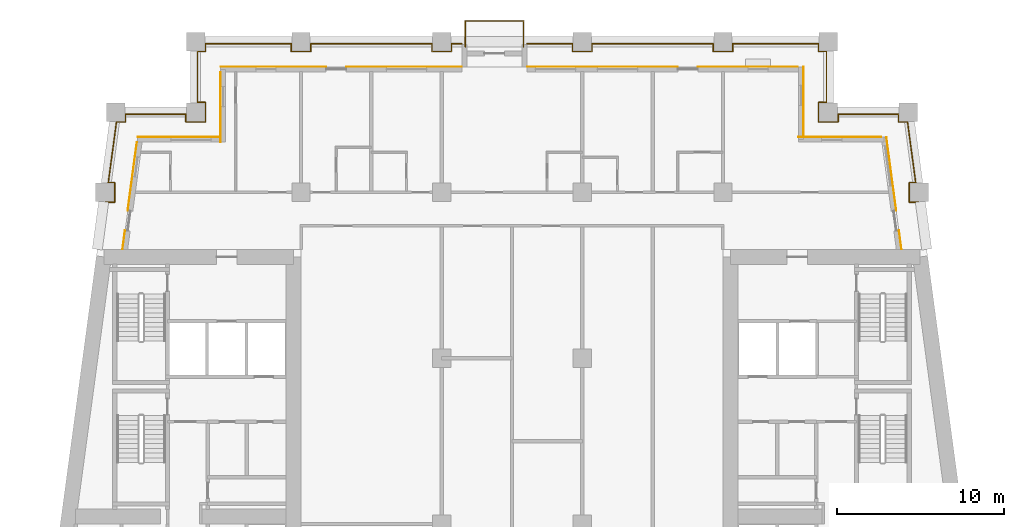
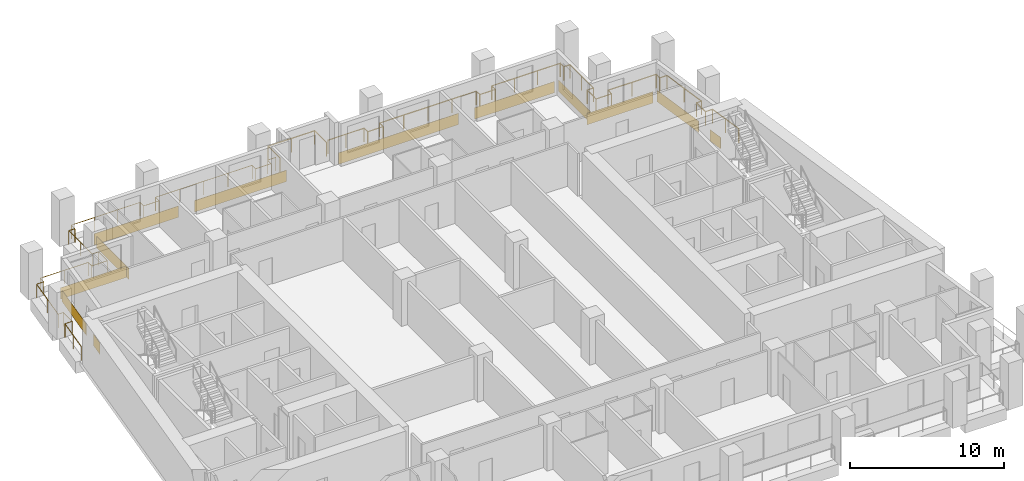
# One storey, part 11 of 12: 12 coverings, 3 railings.
"""IFC4 building model written with IfcOpenShell, lengths in metres."""

from ifc_helpers import new_model, si_unit, direction, frame, origin, origin_2d, place, context, subcontext, project, spatial, rectangle, circle, extrude, material, layer, layer_set, type_object, element, save


model = new_model("IFC4")

# Units and contexts
model_context = context("Model", 3, precision=1e-05, world=origin(), true_north=direction((0.0, 1.0)))
body_context = subcontext(model_context, "Body", "Model", "MODEL_VIEW")
ifc_project = project(units=[si_unit("LENGTHUNIT", "METRE"), si_unit("AREAUNIT", "SQUARE_METRE"), si_unit("VOLUMEUNIT", "CUBIC_METRE"), si_unit("PLANEANGLEUNIT", "RADIAN"), si_unit("MASSUNIT", "GRAM", prefix="KILO")], contexts=[model_context])

# Site, building, storey
site_placement = place(None, origin())
site = spatial("IfcSite", under=ifc_project, at=site_placement, CompositionType="ELEMENT")
building_placement = place(site_placement, origin())
building = spatial("IfcBuilding", under=site, at=building_placement, Name="Candeia Pilgrim Tower and Theatre", CompositionType="ELEMENT")
storey_placement = place(building_placement, frame((0.0, 0.0, 162.60009765625)))
storey = spatial("IfcBuildingStorey", under=building, at=storey_placement, Name="L38", CompositionType="ELEMENT", Elevation=162.60009765625)

# Railings
ifc_material_1 = material(Name="Stainless steel balustrade", Category="steel")
railing_type = type_object("IfcRailingType", Name="G1 loggia guard 1100", PredefinedType="GUARDRAIL", material=ifc_material_1)
railing_1_placement = place(storey_placement, frame((88.758544921875, 132.449951171875, 0.0)))
element("IfcRailing", 1, at=railing_1_placement, inside=storey, type_object=railing_type, Name="Guard L38.2", PredefinedType="GUARDRAIL", context=body_context, shape_type="SweptSolid", body=[
    extrude(circle(Radius=0.02392578125, at=origin_2d()), frame((0.0, 0.0, 1.076171875), z_axis=(0.133382313969, 0.991064659001, 0.0), x_axis=(-0.991064659001, 0.133382313969, 0.0)), (0.0, 0.0, 1.0), 2.794921875),
    extrude(circle(Radius=0.02392578125, at=origin_2d()), frame((0.372802734375, 2.77001953125, 1.076171875), z_axis=(1.0, 0.0, 0.0), x_axis=(0.0, 1.0, 0.0)), (0.0, 0.0, 1.0), 0.537109375),
    extrude(circle(Radius=0.02392578125, at=origin_2d()), frame((0.909912109375, 2.77001953125, 1.076171875), z_axis=(0.0, 1.0, 0.0), x_axis=(-1.0, 0.0, 0.0)), (0.0, 0.0, 1.0), 1.159912109375),
    extrude(circle(Radius=0.02392578125, at=origin_2d()), frame((0.909912109375, 3.929931640625, 1.076171875), z_axis=(-1.0, 0.0, 0.0), x_axis=(0.0, -1.0, 0.0)), (0.0, 0.0, 1.0), 0.380859375),
    extrude(circle(Radius=0.02392578125, at=origin_2d()), frame((0.529052734375, 3.929931640625, 1.076171875), z_axis=(0.133404479078, 0.99106167566, 0.0), x_axis=(-0.99106167566, 0.133404479078, 0.0)), (0.0, 0.0, 1.0), 3.6728515625),
    extrude(circle(Radius=0.02392578125, at=origin_2d()), frame((1.01904296875, 7.570068359375, 1.076171875), z_axis=(1.0, 0.0, 0.0), x_axis=(0.0, 1.0, 0.0)), (0.0, 0.0, 1.0), 0.537109375),
    extrude(circle(Radius=0.02392578125, at=origin_2d()), frame((1.55615234375, 7.570068359375, 1.076171875), z_axis=(0.0, 1.0, 0.0), x_axis=(-1.0, 0.0, 0.0)), (0.0, 0.0, 1.0), 0.4599609375),
    extrude(circle(Radius=0.02392578125, at=origin_2d()), frame((1.55615234375, 8.030029296875, 1.076171875), z_axis=(1.0, 0.0, 0.0), x_axis=(0.0, 1.0, 0.0)), (0.0, 0.0, 1.0), 3.605224609375),
    extrude(circle(Radius=0.02392578125, at=origin_2d()), frame((5.161376953125, 8.030029296875, 1.076171875), z_axis=(0.0, -1.0, 0.0), x_axis=(1.0, 0.0, 0.0)), (0.0, 0.0, 1.0), 0.4599609375),
    extrude(circle(Radius=0.02392578125, at=origin_2d()), frame((5.161376953125, 7.570068359375, 1.076171875), z_axis=(1.0, 0.0, 0.0), x_axis=(0.0, 1.0, 0.0)), (0.0, 0.0, 1.0), 1.16015625),
    extrude(circle(Radius=0.02392578125, at=origin_2d()), frame((6.321533203125, 7.570068359375, 1.076171875), z_axis=(0.0, 1.0, 0.0), x_axis=(-1.0, 0.0, 0.0)), (0.0, 0.0, 1.0), 1.159912109375),
    extrude(circle(Radius=0.02392578125, at=origin_2d()), frame((6.321533203125, 8.72998046875, 1.076171875), z_axis=(-1.0, 0.0, 0.0), x_axis=(0.0, -1.0, 0.0)), (0.0, 0.0, 1.0), 0.4599609375),
    extrude(circle(Radius=0.02392578125, at=origin_2d()), frame((5.861572265625, 8.72998046875, 1.076171875), z_axis=(0.0, 1.0, 0.0), x_axis=(-1.0, 0.0, 0.0)), (0.0, 0.0, 1.0), 3.0400390625),
    extrude(circle(Radius=0.02392578125, at=origin_2d()), frame((5.861572265625, 11.77001953125, 1.076171875), z_axis=(1.0, 0.0, 0.0), x_axis=(0.0, 1.0, 0.0)), (0.0, 0.0, 1.0), 0.4599609375),
    extrude(circle(Radius=0.02392578125, at=origin_2d()), frame((6.321533203125, 11.77001953125, 1.076171875), z_axis=(0.0, 1.0, 0.0), x_axis=(-1.0, 0.0, 0.0)), (0.0, 0.0, 1.0), 0.4599609375),
    extrude(circle(Radius=0.02392578125, at=origin_2d()), frame((6.321533203125, 12.22998046875, 1.076171875), z_axis=(1.0, 0.0, 0.0), x_axis=(0.0, 1.0, 0.0)), (0.0, 0.0, 1.0), 5.139892578125),
    extrude(circle(Radius=0.02392578125, at=origin_2d()), frame((11.46142578125, 12.22998046875, 1.076171875), z_axis=(0.0, -1.0, 0.0), x_axis=(1.0, 0.0, 0.0)), (0.0, 0.0, 1.0), 0.4599609375),
    extrude(circle(Radius=0.02392578125, at=origin_2d()), frame((11.46142578125, 11.77001953125, 1.076171875), z_axis=(1.0, 0.0, 0.0), x_axis=(0.0, 1.0, 0.0)), (0.0, 0.0, 1.0), 1.159912109375),
    extrude(circle(Radius=0.02392578125, at=origin_2d()), frame((12.621337890625, 11.77001953125, 1.076171875), z_axis=(0.0, 1.0, 0.0), x_axis=(-1.0, 0.0, 0.0)), (0.0, 0.0, 1.0), 0.4599609375),
    extrude(circle(Radius=0.02392578125, at=origin_2d()), frame((12.621337890625, 12.22998046875, 1.076171875), z_axis=(1.0, 0.0, 0.0), x_axis=(0.0, 1.0, 0.0)), (0.0, 0.0, 1.0), 7.240234375),
    extrude(circle(Radius=0.02392578125, at=origin_2d()), frame((19.861572265625, 12.22998046875, 1.076171875), z_axis=(0.0, -1.0, 0.0), x_axis=(1.0, 0.0, 0.0)), (0.0, 0.0, 1.0), 0.4599609375),
    extrude(circle(Radius=0.02392578125, at=origin_2d()), frame((19.861572265625, 11.77001953125, 1.076171875), z_axis=(1.0, 0.0, 0.0), x_axis=(0.0, 1.0, 0.0)), (0.0, 0.0, 1.0), 1.159912109375),
    extrude(circle(Radius=0.02392578125, at=origin_2d()), frame((21.021484375, 11.77001953125, 1.076171875), z_axis=(0.0, 1.0, 0.0), x_axis=(-1.0, 0.0, 0.0)), (0.0, 0.0, 1.0), 0.4599609375),
    extrude(circle(Radius=0.02392578125, at=origin_2d()), frame((21.021484375, 12.22998046875, 1.076171875), z_axis=(1.0, 0.0, 0.0), x_axis=(0.0, 1.0, 0.0)), (0.0, 0.0, 1.0), 0.619873046875),
    extrude(circle(Radius=0.02099609375, at=origin_2d()), origin(), (0.0, 0.0, 1.0), 1.052001953125),
    extrude(circle(Radius=0.02099609375, at=origin_2d()), frame((0.1865234375, 1.385009765625, 0.0)), (0.0, 0.0, 1.0), 1.052001953125),
    extrude(circle(Radius=0.02099609375, at=origin_2d()), frame((0.372802734375, 2.77001953125, 0.0)), (0.0, 0.0, 1.0), 1.052001953125),
    extrude(circle(Radius=0.02099609375, at=origin_2d()), frame((0.909912109375, 2.77001953125, 0.0)), (0.0, 0.0, 1.0), 1.052001953125),
    extrude(circle(Radius=0.02099609375, at=origin_2d()), frame((0.909912109375, 3.929931640625, 0.0)), (0.0, 0.0, 1.0), 1.052001953125),
    extrude(circle(Radius=0.02099609375, at=origin_2d()), frame((0.529052734375, 3.929931640625, 0.0)), (0.0, 0.0, 1.0), 1.052001953125),
    extrude(circle(Radius=0.02099609375, at=origin_2d()), frame((0.77392578125, 5.75, 0.0)), (0.0, 0.0, 1.0), 1.052001953125),
    extrude(circle(Radius=0.02099609375, at=origin_2d()), frame((1.01904296875, 7.570068359375, 0.0)), (0.0, 0.0, 1.0), 1.052001953125),
    extrude(circle(Radius=0.02099609375, at=origin_2d()), frame((1.55615234375, 7.570068359375, 0.0)), (0.0, 0.0, 1.0), 1.052001953125),
    extrude(circle(Radius=0.02099609375, at=origin_2d()), frame((1.55615234375, 8.030029296875, 0.0)), (0.0, 0.0, 1.0), 1.052001953125),
    extrude(circle(Radius=0.02099609375, at=origin_2d()), frame((3.35888671875, 8.030029296875, 0.0)), (0.0, 0.0, 1.0), 1.052001953125),
    extrude(circle(Radius=0.02099609375, at=origin_2d()), frame((5.161376953125, 8.030029296875, 0.0)), (0.0, 0.0, 1.0), 1.052001953125),
    extrude(circle(Radius=0.02099609375, at=origin_2d()), frame((5.161376953125, 7.570068359375, 0.0)), (0.0, 0.0, 1.0), 1.052001953125),
    extrude(circle(Radius=0.02099609375, at=origin_2d()), frame((6.321533203125, 7.570068359375, 0.0)), (0.0, 0.0, 1.0), 1.052001953125),
    extrude(circle(Radius=0.02099609375, at=origin_2d()), frame((6.321533203125, 8.72998046875, 0.0)), (0.0, 0.0, 1.0), 1.052001953125),
    extrude(circle(Radius=0.02099609375, at=origin_2d()), frame((5.861572265625, 8.72998046875, 0.0)), (0.0, 0.0, 1.0), 1.052001953125),
    extrude(circle(Radius=0.02099609375, at=origin_2d()), frame((5.861572265625, 10.25, 0.0)), (0.0, 0.0, 1.0), 1.052001953125),
    extrude(circle(Radius=0.02099609375, at=origin_2d()), frame((5.861572265625, 11.77001953125, 0.0)), (0.0, 0.0, 1.0), 1.052001953125),
    extrude(circle(Radius=0.02099609375, at=origin_2d()), frame((6.321533203125, 11.77001953125, 0.0)), (0.0, 0.0, 1.0), 1.052001953125),
    extrude(circle(Radius=0.02099609375, at=origin_2d()), frame((6.321533203125, 12.22998046875, 0.0)), (0.0, 0.0, 1.0), 1.052001953125),
    extrude(circle(Radius=0.02099609375, at=origin_2d()), frame((8.034912109375, 12.22998046875, 0.0)), (0.0, 0.0, 1.0), 1.052001953125),
    extrude(circle(Radius=0.02099609375, at=origin_2d()), frame((9.748046875, 12.22998046875, 0.0)), (0.0, 0.0, 1.0), 1.052001953125),
    extrude(circle(Radius=0.02099609375, at=origin_2d()), frame((11.46142578125, 12.22998046875, 0.0)), (0.0, 0.0, 1.0), 1.052001953125),
    extrude(circle(Radius=0.02099609375, at=origin_2d()), frame((11.46142578125, 11.77001953125, 0.0)), (0.0, 0.0, 1.0), 1.052001953125),
    extrude(circle(Radius=0.02099609375, at=origin_2d()), frame((12.621337890625, 11.77001953125, 0.0)), (0.0, 0.0, 1.0), 1.052001953125),
    extrude(circle(Radius=0.02099609375, at=origin_2d()), frame((12.621337890625, 12.22998046875, 0.0)), (0.0, 0.0, 1.0), 1.052001953125),
    extrude(circle(Radius=0.02099609375, at=origin_2d()), frame((14.431396484375, 12.22998046875, 0.0)), (0.0, 0.0, 1.0), 1.052001953125),
    extrude(circle(Radius=0.02099609375, at=origin_2d()), frame((16.241455078125, 12.22998046875, 0.0)), (0.0, 0.0, 1.0), 1.052001953125),
    extrude(circle(Radius=0.02099609375, at=origin_2d()), frame((18.051513671875, 12.22998046875, 0.0)), (0.0, 0.0, 1.0), 1.052001953125),
    extrude(circle(Radius=0.02099609375, at=origin_2d()), frame((19.861572265625, 12.22998046875, 0.0)), (0.0, 0.0, 1.0), 1.052001953125),
    extrude(circle(Radius=0.02099609375, at=origin_2d()), frame((19.861572265625, 11.77001953125, 0.0)), (0.0, 0.0, 1.0), 1.052001953125),
    extrude(circle(Radius=0.02099609375, at=origin_2d()), frame((21.021484375, 11.77001953125, 0.0)), (0.0, 0.0, 1.0), 1.052001953125),
    extrude(circle(Radius=0.02099609375, at=origin_2d()), frame((21.021484375, 12.22998046875, 0.0)), (0.0, 0.0, 1.0), 1.052001953125),
    extrude(circle(Radius=0.02099609375, at=origin_2d()), frame((21.641357421875, 12.22998046875, 0.0)), (0.0, 0.0, 1.0), 1.052001953125),
])
railing_2_placement = place(storey_placement, frame((114.300048828125, 144.679931640625, 0.0)))
element("IfcRailing", 2, at=railing_2_placement, inside=storey, type_object=railing_type, Name="Guard L38.3", PredefinedType="GUARDRAIL", context=body_context, shape_type="SweptSolid", body=[
    extrude(circle(Radius=0.02392578125, at=origin_2d()), frame((0.0, 0.0, 1.076171875), z_axis=(1.0, 0.0, 0.0), x_axis=(0.0, 1.0, 0.0)), (0.0, 0.0, 1.0), 2.719970703125),
    extrude(circle(Radius=0.02392578125, at=origin_2d()), frame((2.719970703125, 0.0, 1.076171875), z_axis=(0.0, -1.0, 0.0), x_axis=(1.0, 0.0, 0.0)), (0.0, 0.0, 1.0), 0.4599609375),
    extrude(circle(Radius=0.02392578125, at=origin_2d()), frame((2.719970703125, -0.4599609375, 1.076171875), z_axis=(1.0, 0.0, 0.0), x_axis=(0.0, 1.0, 0.0)), (0.0, 0.0, 1.0), 1.159912109375),
    extrude(circle(Radius=0.02392578125, at=origin_2d()), frame((3.8798828125, -0.4599609375, 1.076171875), z_axis=(0.0, 1.0, 0.0), x_axis=(-1.0, 0.0, 0.0)), (0.0, 0.0, 1.0), 0.4599609375),
    extrude(circle(Radius=0.02392578125, at=origin_2d()), frame((3.8798828125, 0.0, 1.076171875), z_axis=(1.0, 0.0, 0.0), x_axis=(0.0, 1.0, 0.0)), (0.0, 0.0, 1.0), 7.239990234375),
    extrude(circle(Radius=0.02392578125, at=origin_2d()), frame((11.119873046875, 0.0, 1.076171875), z_axis=(0.0, -1.0, 0.0), x_axis=(1.0, 0.0, 0.0)), (0.0, 0.0, 1.0), 0.4599609375),
    extrude(circle(Radius=0.02392578125, at=origin_2d()), frame((11.119873046875, -0.4599609375, 1.076171875), z_axis=(1.0, 0.0, 0.0), x_axis=(0.0, 1.0, 0.0)), (0.0, 0.0, 1.0), 1.16015625),
    extrude(circle(Radius=0.02392578125, at=origin_2d()), frame((12.280029296875, -0.4599609375, 1.076171875), z_axis=(0.0, 1.0, 0.0), x_axis=(-1.0, 0.0, 0.0)), (0.0, 0.0, 1.0), 0.4599609375),
    extrude(circle(Radius=0.02392578125, at=origin_2d()), frame((12.280029296875, 0.0, 1.076171875), z_axis=(1.0, 0.0, 0.0), x_axis=(0.0, 1.0, 0.0)), (0.0, 0.0, 1.0), 5.139892578125),
    extrude(circle(Radius=0.02392578125, at=origin_2d()), frame((17.419921875, 0.0, 1.076171875), z_axis=(0.0, -1.0, 0.0), x_axis=(1.0, 0.0, 0.0)), (0.0, 0.0, 1.0), 0.4599609375),
    extrude(circle(Radius=0.02392578125, at=origin_2d()), frame((17.419921875, -0.4599609375, 1.076171875), z_axis=(1.0, 0.0, 0.0), x_axis=(0.0, 1.0, 0.0)), (0.0, 0.0, 1.0), 0.4599609375),
    extrude(circle(Radius=0.02392578125, at=origin_2d()), frame((17.8798828125, -0.4599609375, 1.076171875), z_axis=(0.0, -1.0, 0.0), x_axis=(1.0, 0.0, 0.0)), (0.0, 0.0, 1.0), 3.0400390625),
    extrude(circle(Radius=0.02392578125, at=origin_2d()), frame((17.8798828125, -3.5, 1.076171875), z_axis=(-1.0, 0.0, 0.0), x_axis=(0.0, -1.0, 0.0)), (0.0, 0.0, 1.0), 0.4599609375),
    extrude(circle(Radius=0.02392578125, at=origin_2d()), frame((17.419921875, -3.5, 1.076171875), z_axis=(0.0, -1.0, 0.0), x_axis=(1.0, 0.0, 0.0)), (0.0, 0.0, 1.0), 1.159912109375),
    extrude(circle(Radius=0.02392578125, at=origin_2d()), frame((17.419921875, -4.659912109375, 1.076171875), z_axis=(1.0, 0.0, 0.0), x_axis=(0.0, 1.0, 0.0)), (0.0, 0.0, 1.0), 1.159912109375),
    extrude(circle(Radius=0.02392578125, at=origin_2d()), frame((18.579833984375, -4.659912109375, 1.076171875), z_axis=(0.0, 1.0, 0.0), x_axis=(-1.0, 0.0, 0.0)), (0.0, 0.0, 1.0), 0.4599609375),
    extrude(circle(Radius=0.02392578125, at=origin_2d()), frame((18.579833984375, -4.199951171875, 1.076171875), z_axis=(1.0, 0.0, 0.0), x_axis=(0.0, 1.0, 0.0)), (0.0, 0.0, 1.0), 3.60546875),
    extrude(circle(Radius=0.02392578125, at=origin_2d()), frame((22.185302734375, -4.199951171875, 1.076171875), z_axis=(0.0, -1.0, 0.0), x_axis=(1.0, 0.0, 0.0)), (0.0, 0.0, 1.0), 0.4599609375),
    extrude(circle(Radius=0.02392578125, at=origin_2d()), frame((22.185302734375, -4.659912109375, 1.076171875), z_axis=(1.0, 0.0, 0.0), x_axis=(0.0, 1.0, 0.0)), (0.0, 0.0, 1.0), 0.537109375),
    extrude(circle(Radius=0.02392578125, at=origin_2d()), frame((22.722412109375, -4.659912109375, 1.076171875), z_axis=(0.133404479078, -0.99106167566, 0.0), x_axis=(0.99106167566, 0.133404479078, 0.0)), (0.0, 0.0, 1.0), 3.6728515625),
    extrude(circle(Radius=0.02392578125, at=origin_2d()), frame((23.21240234375, -8.300048828125, 1.076171875), z_axis=(-1.0, 0.0, 0.0), x_axis=(0.0, -1.0, 0.0)), (0.0, 0.0, 1.0), 0.380859375),
    extrude(circle(Radius=0.02392578125, at=origin_2d()), frame((22.83154296875, -8.300048828125, 1.076171875), z_axis=(0.0, -1.0, 0.0), x_axis=(1.0, 0.0, 0.0)), (0.0, 0.0, 1.0), 1.159912109375),
    extrude(circle(Radius=0.02392578125, at=origin_2d()), frame((22.83154296875, -9.4599609375, 1.076171875), z_axis=(1.0, 0.0, 0.0), x_axis=(0.0, 1.0, 0.0)), (0.0, 0.0, 1.0), 0.536865234375),
    extrude(circle(Radius=0.02392578125, at=origin_2d()), frame((23.368408203125, -9.4599609375, 1.076171875), z_axis=(0.133468107709, -0.99105310868, 0.0), x_axis=(0.99105310868, 0.133468107709, 0.0)), (0.0, 0.0, 1.0), 2.794921875),
    extrude(circle(Radius=0.02099609375, at=origin_2d()), origin(), (0.0, 0.0, 1.0), 1.052001953125),
    extrude(circle(Radius=0.02099609375, at=origin_2d()), frame((1.35986328125, 0.0, 0.0)), (0.0, 0.0, 1.0), 1.052001953125),
    extrude(circle(Radius=0.02099609375, at=origin_2d()), frame((2.719970703125, 0.0, 0.0)), (0.0, 0.0, 1.0), 1.052001953125),
    extrude(circle(Radius=0.02099609375, at=origin_2d()), frame((2.719970703125, -0.4599609375, 0.0)), (0.0, 0.0, 1.0), 1.052001953125),
    extrude(circle(Radius=0.02099609375, at=origin_2d()), frame((3.8798828125, -0.4599609375, 0.0)), (0.0, 0.0, 1.0), 1.052001953125),
    extrude(circle(Radius=0.02099609375, at=origin_2d()), frame((3.8798828125, 0.0, 0.0)), (0.0, 0.0, 1.0), 1.052001953125),
    extrude(circle(Radius=0.02099609375, at=origin_2d()), frame((5.68994140625, 0.0, 0.0)), (0.0, 0.0, 1.0), 1.052001953125),
    extrude(circle(Radius=0.02099609375, at=origin_2d()), frame((7.5, 0.0, 0.0)), (0.0, 0.0, 1.0), 1.052001953125),
    extrude(circle(Radius=0.02099609375, at=origin_2d()), frame((9.309814453125, 0.0, 0.0)), (0.0, 0.0, 1.0), 1.052001953125),
    extrude(circle(Radius=0.02099609375, at=origin_2d()), frame((11.119873046875, 0.0, 0.0)), (0.0, 0.0, 1.0), 1.052001953125),
    extrude(circle(Radius=0.02099609375, at=origin_2d()), frame((11.119873046875, -0.4599609375, 0.0)), (0.0, 0.0, 1.0), 1.052001953125),
    extrude(circle(Radius=0.02099609375, at=origin_2d()), frame((12.280029296875, -0.4599609375, 0.0)), (0.0, 0.0, 1.0), 1.052001953125),
    extrude(circle(Radius=0.02099609375, at=origin_2d()), frame((12.280029296875, 0.0, 0.0)), (0.0, 0.0, 1.0), 1.052001953125),
    extrude(circle(Radius=0.02099609375, at=origin_2d()), frame((13.993408203125, 0.0, 0.0)), (0.0, 0.0, 1.0), 1.052001953125),
    extrude(circle(Radius=0.02099609375, at=origin_2d()), frame((15.70654296875, 0.0, 0.0)), (0.0, 0.0, 1.0), 1.052001953125),
    extrude(circle(Radius=0.02099609375, at=origin_2d()), frame((17.419921875, 0.0, 0.0)), (0.0, 0.0, 1.0), 1.052001953125),
    extrude(circle(Radius=0.02099609375, at=origin_2d()), frame((17.419921875, -0.4599609375, 0.0)), (0.0, 0.0, 1.0), 1.052001953125),
    extrude(circle(Radius=0.02099609375, at=origin_2d()), frame((17.8798828125, -0.4599609375, 0.0)), (0.0, 0.0, 1.0), 1.052001953125),
    extrude(circle(Radius=0.02099609375, at=origin_2d()), frame((17.8798828125, -1.97998046875, 0.0)), (0.0, 0.0, 1.0), 1.052001953125),
    extrude(circle(Radius=0.02099609375, at=origin_2d()), frame((17.8798828125, -3.5, 0.0)), (0.0, 0.0, 1.0), 1.052001953125),
    extrude(circle(Radius=0.02099609375, at=origin_2d()), frame((17.419921875, -3.5, 0.0)), (0.0, 0.0, 1.0), 1.052001953125),
    extrude(circle(Radius=0.02099609375, at=origin_2d()), frame((17.419921875, -4.659912109375, 0.0)), (0.0, 0.0, 1.0), 1.052001953125),
    extrude(circle(Radius=0.02099609375, at=origin_2d()), frame((18.579833984375, -4.659912109375, 0.0)), (0.0, 0.0, 1.0), 1.052001953125),
    extrude(circle(Radius=0.02099609375, at=origin_2d()), frame((18.579833984375, -4.199951171875, 0.0)), (0.0, 0.0, 1.0), 1.052001953125),
    extrude(circle(Radius=0.02099609375, at=origin_2d()), frame((20.382568359375, -4.199951171875, 0.0)), (0.0, 0.0, 1.0), 1.052001953125),
    extrude(circle(Radius=0.02099609375, at=origin_2d()), frame((22.185302734375, -4.199951171875, 0.0)), (0.0, 0.0, 1.0), 1.052001953125),
    extrude(circle(Radius=0.02099609375, at=origin_2d()), frame((22.185302734375, -4.659912109375, 0.0)), (0.0, 0.0, 1.0), 1.052001953125),
    extrude(circle(Radius=0.02099609375, at=origin_2d()), frame((22.722412109375, -4.659912109375, 0.0)), (0.0, 0.0, 1.0), 1.052001953125),
    extrude(circle(Radius=0.02099609375, at=origin_2d()), frame((22.96728515625, -6.47998046875, 0.0)), (0.0, 0.0, 1.0), 1.052001953125),
    extrude(circle(Radius=0.02099609375, at=origin_2d()), frame((23.21240234375, -8.300048828125, 0.0)), (0.0, 0.0, 1.0), 1.052001953125),
    extrude(circle(Radius=0.02099609375, at=origin_2d()), frame((22.83154296875, -8.300048828125, 0.0)), (0.0, 0.0, 1.0), 1.052001953125),
    extrude(circle(Radius=0.02099609375, at=origin_2d()), frame((22.83154296875, -9.4599609375, 0.0)), (0.0, 0.0, 1.0), 1.052001953125),
    extrude(circle(Radius=0.02099609375, at=origin_2d()), frame((23.368408203125, -9.4599609375, 0.0)), (0.0, 0.0, 1.0), 1.052001953125),
    extrude(circle(Radius=0.02099609375, at=origin_2d()), frame((23.554931640625, -10.844970703125, 0.0)), (0.0, 0.0, 1.0), 1.052001953125),
    extrude(circle(Radius=0.02099609375, at=origin_2d()), frame((23.741455078125, -12.22998046875, 0.0)), (0.0, 0.0, 1.0), 1.052001953125),
])
railing_3_placement = place(storey_placement, frame((110.610107421875, 144.5, 0.0)))
element("IfcRailing", 3, at=railing_3_placement, inside=storey, type_object=railing_type, Name="Balcony guard L38", PredefinedType="GUARDRAIL", context=body_context, shape_type="SweptSolid", body=[
    extrude(circle(Radius=0.02392578125, at=origin_2d()), frame((0.0, 0.0, 1.076171875), z_axis=(0.0, 1.0, 0.0), x_axis=(-1.0, 0.0, 0.0)), (0.0, 0.0, 1.0), 1.5400390625),
    extrude(circle(Radius=0.02392578125, at=origin_2d()), frame((0.0, 1.5400390625, 1.076171875), z_axis=(1.0, 0.0, 0.0), x_axis=(0.0, 1.0, 0.0)), (0.0, 0.0, 1.0), 3.47998046875),
    extrude(circle(Radius=0.02392578125, at=origin_2d()), frame((3.47998046875, 1.5400390625, 1.076171875), z_axis=(0.0, -1.0, 0.0), x_axis=(1.0, 0.0, 0.0)), (0.0, 0.0, 1.0), 1.5400390625),
    extrude(circle(Radius=0.02099609375, at=origin_2d()), origin(), (0.0, 0.0, 1.0), 1.052001953125),
    extrude(circle(Radius=0.02099609375, at=origin_2d()), frame((0.0, 1.5400390625, 0.0)), (0.0, 0.0, 1.0), 1.052001953125),
    extrude(circle(Radius=0.02099609375, at=origin_2d()), frame((1.739990234375, 1.5400390625, 0.0)), (0.0, 0.0, 1.0), 1.052001953125),
    extrude(circle(Radius=0.02099609375, at=origin_2d()), frame((3.47998046875, 1.5400390625, 0.0)), (0.0, 0.0, 1.0), 1.052001953125),
    extrude(circle(Radius=0.02099609375, at=origin_2d()), frame((3.47998046875, 0.0, 0.0)), (0.0, 0.0, 1.0), 1.052001953125),
])

# Coverings
ifc_material_2 = material(Name="Glazed ceramic tile rust")
ifc_layer = layer(ifc_material_2, 0.02001953125)
ifc_layer_set = layer_set([ifc_layer], Name="Glazed ceramic tile rust")
covering_type = type_object("IfcCoveringType", Name="Glazed ceramic tile rust", PredefinedType="CLADDING", material=ifc_layer_set)
covering_1_placement = place(storey_placement, frame((136.588623046875, 132.97412109375, 0.0), z_axis=(0.0, 0.0, 1.0), x_axis=(-0.133412012145, 0.991060661622, 0.0)))
element("IfcCovering", 4, at=covering_1_placement, inside=storey, type_object=covering_type, Name="Tile cladding rust L38", PredefinedType="CLADDING", context=body_context, shape_type="SweptSolid", body=[
    extrude(rectangle(XDim=1.115234375, YDim=0.02001953125, at=origin_2d()), origin(), (0.0, 0.0, 1.0), 0.89990234375),
])
covering_2_placement = place(storey_placement, frame((136.058837890625, 136.90869140625, 0.0), z_axis=(0.0, 0.0, 1.0), x_axis=(-0.133412012145, 0.991060661622, 0.0)))
element("IfcCovering", 5, at=covering_2_placement, inside=storey, type_object=covering_type, Name="Tile cladding rust L38", PredefinedType="CLADDING", context=body_context, shape_type="SweptSolid", body=[
    extrude(rectangle(XDim=4.4248046875, YDim=0.02001953125, at=origin_2d()), origin(), (0.0, 0.0, 1.0), 0.89990234375),
])
covering_3_placement = place(storey_placement, frame((132.976318359375, 139.110107421875, 0.0), z_axis=(0.0, 0.0, 1.0), x_axis=(-1.0, 0.0, 0.0)))
element("IfcCovering", 6, at=covering_3_placement, inside=storey, type_object=covering_type, Name="Tile cladding rust L38", PredefinedType="CLADDING", context=body_context, shape_type="SweptSolid", body=[
    extrude(rectangle(XDim=4.95263671875, YDim=0.02001953125, at=origin_2d()), origin(), (0.0, 0.0, 1.0), 0.89990234375),
])
covering_4_placement = place(storey_placement, frame((130.81005859375, 141.2099609375, 0.0), z_axis=(0.0, 0.0, 1.0), x_axis=(0.0, 1.0, 0.0)))
element("IfcCovering", 7, at=covering_4_placement, inside=storey, type_object=covering_type, Name="Tile cladding rust L38", PredefinedType="CLADDING", context=body_context, shape_type="SweptSolid", body=[
    extrude(rectangle(XDim=4.179931640625, YDim=0.02001953125, at=origin_2d()), origin(), (0.0, 0.0, 1.0), 0.89990234375),
])
covering_5_placement = place(storey_placement, frame((127.489990234375, 143.31005859375, 0.0), z_axis=(0.0, 0.0, 1.0), x_axis=(-1.0, 0.0, 0.0)))
element("IfcCovering", 8, at=covering_5_placement, inside=storey, type_object=covering_type, Name="Tile cladding rust L38", PredefinedType="CLADDING", context=body_context, shape_type="SweptSolid", body=[
    extrude(rectangle(XDim=5.97998046875, YDim=0.02001953125, at=origin_2d()), origin(), (0.0, 0.0, 1.0), 0.89990234375),
])
covering_6_placement = place(storey_placement, frame((118.800048828125, 143.31005859375, 0.0), z_axis=(0.0, 0.0, 1.0), x_axis=(-1.0, 0.0, 0.0)))
element("IfcCovering", 9, at=covering_6_placement, inside=storey, type_object=covering_type, Name="Tile cladding rust L38", PredefinedType="CLADDING", context=body_context, shape_type="SweptSolid", body=[
    extrude(rectangle(XDim=9.0, YDim=0.02001953125, at=origin_2d()), origin(), (0.0, 0.0, 1.0), 0.89990234375),
])
covering_7_placement = place(storey_placement, frame((106.949951171875, 143.31005859375, 0.0), z_axis=(0.0, 0.0, 1.0), x_axis=(-1.0, 0.0, 0.0)))
element("IfcCovering", 10, at=covering_7_placement, inside=storey, type_object=covering_type, Name="Tile cladding rust L38", PredefinedType="CLADDING", context=body_context, shape_type="SweptSolid", body=[
    extrude(rectangle(XDim=6.89990234375, YDim=0.02001953125, at=origin_2d()), origin(), (0.0, 0.0, 1.0), 0.89990234375),
])
covering_8_placement = place(storey_placement, frame((99.14990234375, 143.31005859375, 0.0), z_axis=(0.0, 0.0, 1.0), x_axis=(-1.0, 0.0, 0.0)))
element("IfcCovering", 11, at=covering_8_placement, inside=storey, type_object=covering_type, Name="Tile cladding rust L38", PredefinedType="CLADDING", context=body_context, shape_type="SweptSolid", body=[
    extrude(rectangle(XDim=6.300048828125, YDim=0.02001953125, at=origin_2d()), origin(), (0.0, 0.0, 1.0), 0.89990234375),
])
covering_9_placement = place(storey_placement, frame((95.989990234375, 140.889892578125, 0.0), z_axis=(0.0, 0.0, 1.0), x_axis=(0.0, -1.0, 0.0)))
element("IfcCovering", 12, at=covering_9_placement, inside=storey, type_object=covering_type, Name="Tile cladding rust L38", PredefinedType="CLADDING", context=body_context, shape_type="SweptSolid", body=[
    extrude(rectangle(XDim=4.179931640625, YDim=0.02001953125, at=origin_2d()), origin(), (0.0, 0.0, 1.0), 0.89990234375),
])
covering_10_placement = place(storey_placement, frame((93.51318359375, 139.110107421875, 0.0), z_axis=(0.0, 0.0, 1.0), x_axis=(-1.0, 0.0, 0.0)))
element("IfcCovering", 13, at=covering_10_placement, inside=storey, type_object=covering_type, Name="Tile cladding rust L38", PredefinedType="CLADDING", context=body_context, shape_type="SweptSolid", body=[
    extrude(rectangle(XDim=4.933837890625, YDim=0.02001953125, at=origin_2d()), origin(), (0.0, 0.0, 1.0), 0.89990234375),
])
covering_11_placement = place(storey_placement, frame((90.720947265625, 136.759521484375, 0.0), z_axis=(0.0, 0.0, 1.0), x_axis=(-0.133412012145, -0.991060661622, 0.0)))
element("IfcCovering", 14, at=covering_11_placement, inside=storey, type_object=covering_type, Name="Tile cladding rust L38", PredefinedType="CLADDING", context=body_context, shape_type="SweptSolid", body=[
    extrude(rectangle(XDim=4.123779296875, YDim=0.02001953125, at=origin_2d()), origin(), (0.0, 0.0, 1.0), 0.89990234375),
])
covering_12_placement = place(storey_placement, frame((90.21142578125, 132.97412109375, 0.0), z_axis=(0.0, 0.0, 1.0), x_axis=(-0.133412012145, -0.991060661622, 0.0)))
element("IfcCovering", 15, at=covering_12_placement, inside=storey, type_object=covering_type, Name="Tile cladding rust L38", PredefinedType="CLADDING", context=body_context, shape_type="SweptSolid", body=[
    extrude(rectangle(XDim=1.115234375, YDim=0.02001953125, at=origin_2d()), origin(), (0.0, 0.0, 1.0), 0.89990234375),
])

save(model, "model.ifc")
